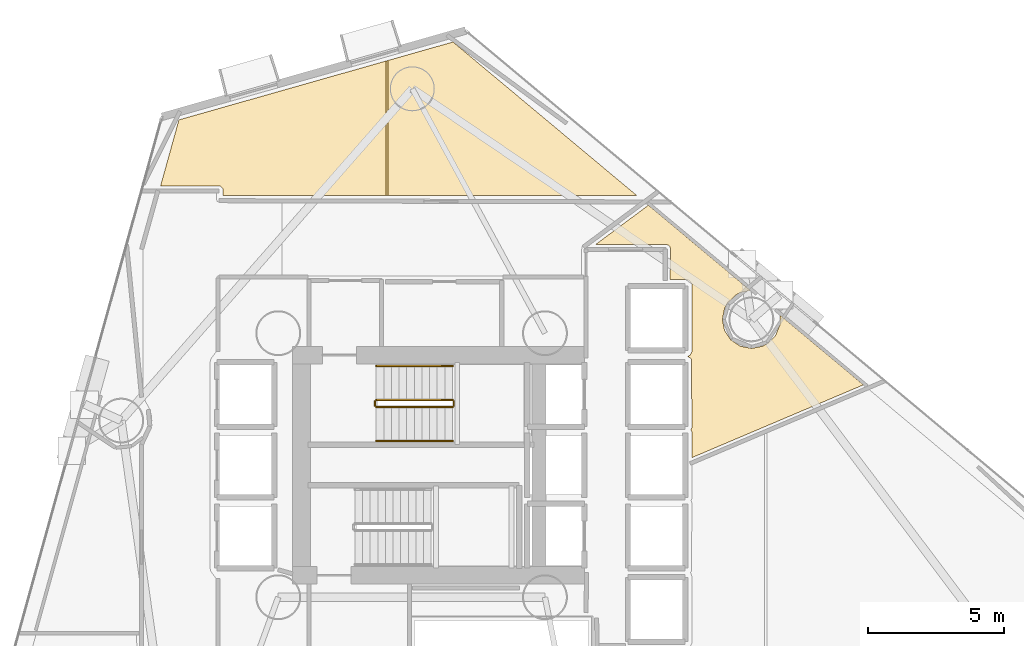
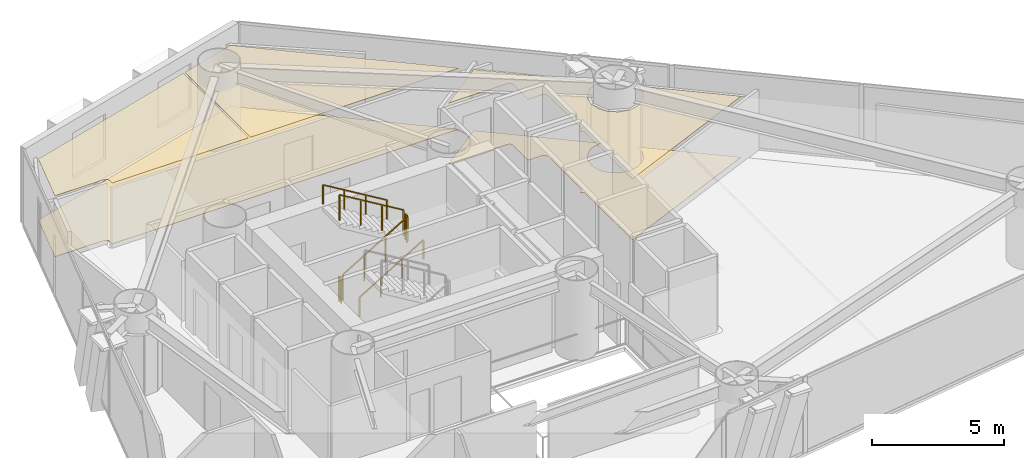
# One storey, part 22 of 23: 6 railings, 5 coverings.
"""IFC4 building model written with IfcOpenShell, lengths in metres."""

from ifc_helpers import new_model, si_unit, direction, frame, origin, origin_2d, place, context, subcontext, project, spatial, polyline, rectangle, outline, extrude, material, layer, layer_set, type_object, element, save


model = new_model("IFC4")

# Units and contexts
model_context = context("Model", 3, precision=1e-05, world=origin(), true_north=direction((0.0, 1.0)))
body_context = subcontext(model_context, "Body", "Model", "MODEL_VIEW")
ifc_project = project(units=[si_unit("LENGTHUNIT", "METRE"), si_unit("AREAUNIT", "SQUARE_METRE"), si_unit("VOLUMEUNIT", "CUBIC_METRE"), si_unit("PLANEANGLEUNIT", "RADIAN"), si_unit("MASSUNIT", "GRAM", prefix="KILO")], contexts=[model_context])

# Site, building, storey
site_placement = place(None, origin())
site = spatial("IfcSite", under=ifc_project, at=site_placement, CompositionType="ELEMENT")
building_placement = place(site_placement, origin())
building = spatial("IfcBuilding", under=site, at=building_placement, Name="Qianvela Tower", CompositionType="ELEMENT")
storey_placement = place(building_placement, frame((0.0, 0.0, 78.39990234375)))
storey = spatial("IfcBuildingStorey", under=building, at=storey_placement, Name="L19", CompositionType="ELEMENT", Elevation=78.39990234375)

# Coverings
ifc_material_1 = material(Name="Perforated Mineral Acoustic Ceiling Tile")
ifc_layer_1 = layer(ifc_material_1, 0.02490234375)
ifc_layer_set_1 = layer_set([ifc_layer_1], Name="Perforated Mineral Acoustic Ceiling Tile")
covering_type_1 = type_object("IfcCoveringType", Name="COV-CEIL-ACOUSTIC-25", PredefinedType="CEILING", material=ifc_layer_set_1)
covering_1_placement = place(storey_placement, frame((0.0, 0.0, 2.815185546875)))
element("IfcCovering", 1, at=covering_1_placement, inside=storey, type_object=covering_type_1, Name="L19 Acoustic Ceiling Graduate Seminar Classroom L19-03", PredefinedType="CEILING", context=body_context, shape_type="SweptSolid", body=[
    extrude(outline(polyline([(43.64306640625, 32.695556640625), (43.713134765625, 32.728759765625), (43.72021484375, 32.732421875), (43.726806640625, 32.73681640625), (43.732666015625, 32.74169921875), (43.73828125, 32.747314453125), (43.743408203125, 32.75341796875), (43.74755859375, 32.760009765625), (43.751220703125, 32.766845703125), (43.79150390625, 32.85205078125), (43.79443359375, 32.858642578125), (43.79638671875, 32.865234375), (43.798095703125, 32.872314453125), (43.799072265625, 32.87939453125), (43.79931640625, 32.88623046875), (43.79736328125, 35.327392578125), (43.796875, 35.3359375), (43.79541015625, 35.344482421875), (43.793212890625, 35.352783203125), (43.7900390625, 35.36083984375), (43.785888671875, 35.368408203125), (43.7373046875, 35.44921875), (43.732666015625, 35.456298828125), (43.727294921875, 35.462890625), (43.72119140625, 35.46875), (43.71435546875, 35.47412109375), (43.70703125, 35.478515625), (43.699462890625, 35.482177734375), (43.624267578125, 35.51318359375), (43.616943359375, 35.515869140625), (43.609375, 35.517822265625), (43.6015625, 35.518798828125), (43.59375, 35.519287109375), (43.0, 35.52001953125), (43.010009765625, 36.6494140625), (43.009765625, 36.6572265625), (43.008544921875, 36.665283203125), (43.006591796875, 36.673095703125), (43.00390625, 36.6806640625), (42.98046875, 36.7373046875), (42.97705078125, 36.744384765625), (42.97314453125, 36.7509765625), (42.968505859375, 36.75732421875), (42.963134765625, 36.76318359375), (42.957275390625, 36.768310546875), (42.950927734375, 36.773193359375), (42.9443359375, 36.777099609375), (42.937255859375, 36.780517578125), (42.880615234375, 36.803955078125), (42.873291015625, 36.806640625), (42.865478515625, 36.80859375), (42.85791015625, 36.8095703125), (42.85009765625, 36.81005859375), (40.2626953125, 36.81005859375), (42.200927734375, 38.251953125), (45.953369140625, 35.117431640625), (45.59130859375, 35.04541015625), (45.583740234375, 35.043701171875), (45.576416015625, 35.041015625), (45.5693359375, 35.03759765625), (45.399169921875, 34.946533203125), (45.392333984375, 34.9423828125), (45.385986328125, 34.937744140625), (45.380126953125, 34.9326171875), (45.1083984375, 34.660888671875), (45.103271484375, 34.655029296875), (45.098388671875, 34.648681640625), (45.094482421875, 34.641845703125), (45.00341796875, 34.4716796875), (45.0, 34.464599609375), (44.997314453125, 34.457275390625), (44.99560546875, 34.44970703125), (44.92041015625, 34.072509765625), (44.91943359375, 34.064697265625), (44.9189453125, 34.056884765625), (44.91943359375, 34.04931640625), (44.92041015625, 34.04150390625), (44.99560546875, 33.664306640625), (44.997314453125, 33.65673828125), (45.0, 33.6494140625), (45.00341796875, 33.642333984375), (45.007568359375, 33.635498046875), (45.220947265625, 33.316162109375), (45.2255859375, 33.309814453125), (45.23095703125, 33.303955078125), (45.23681640625, 33.298583984375), (45.2431640625, 33.2939453125), (45.5625, 33.08056640625), (45.5693359375, 33.076416015625), (45.576416015625, 33.072998046875), (45.583740234375, 33.0703125), (45.59130859375, 33.068603515625), (45.968505859375, 32.993408203125), (45.976318359375, 32.992431640625), (45.98388671875, 32.991943359375), (45.99169921875, 32.992431640625), (45.99951171875, 32.993408203125), (46.376708984375, 33.068603515625), (46.38427734375, 33.0703125), (46.3916015625, 33.072998046875), (46.398681640625, 33.076416015625), (46.56884765625, 33.16748046875), (46.57568359375, 33.17138671875), (46.58203125, 33.17626953125), (46.587890625, 33.181396484375), (46.859619140625, 33.453125), (46.86474609375, 33.458984375), (46.869384765625, 33.46533203125), (46.87353515625, 33.47216796875), (46.876953125, 33.47900390625), (47.02392578125, 33.834228515625), (47.026611328125, 33.841552734375), (47.028564453125, 33.84912109375), (47.02978515625, 33.85693359375), (47.030029296875, 33.86474609375), (47.030029296875, 34.218017578125), (50.100830078125, 31.65283203125), (43.800048828125, 28.978515625), (43.800048828125, 29.89990234375), (43.799560546875, 29.907958984375), (43.79833984375, 29.915771484375), (43.79638671875, 29.923583984375), (43.793701171875, 29.93115234375), (43.7646484375, 30.0), (43.793701171875, 30.06884765625), (43.79638671875, 30.07666015625), (43.798583984375, 30.08447265625), (43.799560546875, 30.09228515625), (43.800048828125, 30.1005859375), (43.783447265625, 32.56640625), (43.782958984375, 32.57470703125), (43.78173828125, 32.582763671875), (43.779541015625, 32.5908203125), (43.776611328125, 32.598388671875), (43.77294921875, 32.605712890625), (43.7685546875, 32.612548828125), (43.763427734375, 32.618896484375), (43.7578125, 32.624755859375), (43.75146484375, 32.6298828125), (43.74462890625, 32.634521484375), (43.64306640625, 32.695556640625)])), origin(), (0.0, 0.0, 1.0), 0.02490234375),
])
covering_2_placement = place(storey_placement, frame((0.0, 0.0, 2.815185546875)))
element("IfcCovering", 2, at=covering_2_placement, inside=storey, type_object=covering_type_1, Name="L19 Acoustic Ceiling Bay 1 Maker Craft Workshop L19-05", PredefinedType="CEILING", context=body_context, shape_type="SweptSolid", body=[
    extrude(outline(polyline([(26.57958984375, 38.610107421875), (26.57861328125, 38.81591796875), (26.577880859375, 38.82373046875), (26.576904296875, 38.83154296875), (26.574951171875, 38.839111328125), (26.572265625, 38.846435546875), (26.56884765625, 38.853515625), (26.56494140625, 38.860107421875), (26.560302734375, 38.866455078125), (26.554931640625, 38.872314453125), (26.4921875, 38.93505859375), (26.486328125, 38.940185546875), (26.47998046875, 38.945068359375), (26.473388671875, 38.948974609375), (26.46630859375, 38.952392578125), (26.458984375, 38.955078125), (26.451416015625, 38.956787109375), (26.443603515625, 38.9580078125), (26.435791015625, 38.95849609375), (24.27685546875, 38.9599609375), (24.950927734375, 41.3876953125), (32.5556640625, 43.549072265625), (32.5556640625, 38.610107421875), (26.57958984375, 38.610107421875)])), origin(), (0.0, 0.0, 1.0), 0.02490234375),
])
covering_3_placement = place(storey_placement, frame((0.0, 0.0, 2.815185546875)))
element("IfcCovering", 3, at=covering_3_placement, inside=storey, type_object=covering_type_1, Name="L19 Acoustic Ceiling Bay 2 Maker Craft Workshop L19-05", PredefinedType="CEILING", context=body_context, shape_type="SweptSolid", body=[
    extrude(outline(polyline([(41.772216796875, 38.610107421875), (32.635498046875, 38.610107421875), (32.635498046875, 43.57177734375), (35.020751953125, 44.249755859375), (41.772216796875, 38.610107421875)])), origin(), (0.0, 0.0, 1.0), 0.02490234375),
])
ifc_material_2 = material(Name="Engineered Acoustic Oak Timber Flooring", Category="wood")
ifc_layer_2 = layer(ifc_material_2, 0.02001953125)
ifc_layer_set_2 = layer_set([ifc_layer_2], Name="Engineered Acoustic Oak Timber Flooring")
covering_type_2 = type_object("IfcCoveringType", Name="COV-FLOOR-OAK-20", PredefinedType="FLOORING", material=ifc_layer_set_2)
covering_4_placement = place(storey_placement, origin())
element("IfcCovering", 4, at=covering_4_placement, inside=storey, type_object=covering_type_2, Name="L19 Finish Flooring Graduate Seminar Classroom L19-03", PredefinedType="FLOORING", context=body_context, shape_type="SweptSolid", body=[
    extrude(outline(polyline([(43.64306640625, 32.695556640625), (43.713134765625, 32.728759765625), (43.72021484375, 32.732421875), (43.726806640625, 32.73681640625), (43.732666015625, 32.74169921875), (43.73828125, 32.747314453125), (43.743408203125, 32.75341796875), (43.74755859375, 32.760009765625), (43.751220703125, 32.766845703125), (43.79150390625, 32.85205078125), (43.79443359375, 32.858642578125), (43.79638671875, 32.865234375), (43.798095703125, 32.872314453125), (43.799072265625, 32.87939453125), (43.79931640625, 32.88623046875), (43.79736328125, 35.327392578125), (43.796875, 35.3359375), (43.79541015625, 35.344482421875), (43.793212890625, 35.352783203125), (43.7900390625, 35.36083984375), (43.785888671875, 35.368408203125), (43.7373046875, 35.44921875), (43.732666015625, 35.456298828125), (43.727294921875, 35.462890625), (43.72119140625, 35.46875), (43.71435546875, 35.47412109375), (43.70703125, 35.478515625), (43.699462890625, 35.482177734375), (43.624267578125, 35.51318359375), (43.616943359375, 35.515869140625), (43.609375, 35.517822265625), (43.6015625, 35.518798828125), (43.59375, 35.519287109375), (43.0, 35.52001953125), (43.010009765625, 36.6494140625), (43.009765625, 36.6572265625), (43.008544921875, 36.665283203125), (43.006591796875, 36.673095703125), (43.00390625, 36.6806640625), (42.98046875, 36.7373046875), (42.97705078125, 36.744384765625), (42.97314453125, 36.7509765625), (42.968505859375, 36.75732421875), (42.963134765625, 36.76318359375), (42.957275390625, 36.768310546875), (42.950927734375, 36.773193359375), (42.9443359375, 36.777099609375), (42.937255859375, 36.780517578125), (42.880615234375, 36.803955078125), (42.873291015625, 36.806640625), (42.865478515625, 36.80859375), (42.85791015625, 36.8095703125), (42.85009765625, 36.81005859375), (40.2626953125, 36.81005859375), (42.200927734375, 38.251953125), (45.953369140625, 35.117431640625), (45.59130859375, 35.04541015625), (45.583740234375, 35.043701171875), (45.576416015625, 35.041015625), (45.5693359375, 35.03759765625), (45.399169921875, 34.946533203125), (45.392333984375, 34.9423828125), (45.385986328125, 34.937744140625), (45.380126953125, 34.9326171875), (45.1083984375, 34.660888671875), (45.103271484375, 34.655029296875), (45.098388671875, 34.648681640625), (45.094482421875, 34.641845703125), (45.00341796875, 34.4716796875), (45.0, 34.464599609375), (44.997314453125, 34.457275390625), (44.99560546875, 34.44970703125), (44.92041015625, 34.072509765625), (44.91943359375, 34.064697265625), (44.9189453125, 34.056884765625), (44.91943359375, 34.04931640625), (44.92041015625, 34.04150390625), (44.99560546875, 33.664306640625), (44.997314453125, 33.65673828125), (45.0, 33.6494140625), (45.00341796875, 33.642333984375), (45.007568359375, 33.635498046875), (45.220947265625, 33.316162109375), (45.2255859375, 33.309814453125), (45.23095703125, 33.303955078125), (45.23681640625, 33.298583984375), (45.2431640625, 33.2939453125), (45.5625, 33.08056640625), (45.5693359375, 33.076416015625), (45.576416015625, 33.072998046875), (45.583740234375, 33.0703125), (45.59130859375, 33.068603515625), (45.968505859375, 32.993408203125), (45.976318359375, 32.992431640625), (45.98388671875, 32.991943359375), (45.99169921875, 32.992431640625), (45.99951171875, 32.993408203125), (46.376708984375, 33.068603515625), (46.38427734375, 33.0703125), (46.3916015625, 33.072998046875), (46.398681640625, 33.076416015625), (46.56884765625, 33.16748046875), (46.57568359375, 33.17138671875), (46.58203125, 33.17626953125), (46.587890625, 33.181396484375), (46.859619140625, 33.453125), (46.86474609375, 33.458984375), (46.869384765625, 33.46533203125), (46.87353515625, 33.47216796875), (46.876953125, 33.47900390625), (47.02392578125, 33.834228515625), (47.026611328125, 33.841552734375), (47.028564453125, 33.84912109375), (47.02978515625, 33.85693359375), (47.030029296875, 33.86474609375), (47.030029296875, 34.218017578125), (50.100830078125, 31.65283203125), (43.800048828125, 28.978515625), (43.800048828125, 29.89990234375), (43.799560546875, 29.907958984375), (43.79833984375, 29.915771484375), (43.79638671875, 29.923583984375), (43.793701171875, 29.93115234375), (43.7646484375, 30.0), (43.793701171875, 30.06884765625), (43.79638671875, 30.07666015625), (43.798583984375, 30.08447265625), (43.799560546875, 30.09228515625), (43.800048828125, 30.1005859375), (43.783447265625, 32.56640625), (43.782958984375, 32.57470703125), (43.78173828125, 32.582763671875), (43.779541015625, 32.5908203125), (43.776611328125, 32.598388671875), (43.77294921875, 32.605712890625), (43.7685546875, 32.612548828125), (43.763427734375, 32.618896484375), (43.7578125, 32.624755859375), (43.75146484375, 32.6298828125), (43.74462890625, 32.634521484375), (43.64306640625, 32.695556640625)])), origin(), (0.0, 0.0, 1.0), 0.02001953125),
])
covering_5_placement = place(storey_placement, origin())
element("IfcCovering", 5, at=covering_5_placement, inside=storey, type_object=covering_type_2, Name="L19 Finish Flooring Maker Craft Workshop L19-05", PredefinedType="FLOORING", context=body_context, shape_type="SweptSolid", body=[
    extrude(outline(polyline([(35.020751953125, 44.249755859375), (41.772216796875, 38.610107421875), (26.57958984375, 38.610107421875), (26.57861328125, 38.81591796875), (26.577880859375, 38.82373046875), (26.576904296875, 38.83154296875), (26.574951171875, 38.839111328125), (26.572265625, 38.846435546875), (26.56884765625, 38.853515625), (26.56494140625, 38.860107421875), (26.560302734375, 38.866455078125), (26.554931640625, 38.872314453125), (26.4921875, 38.93505859375), (26.486328125, 38.940185546875), (26.47998046875, 38.945068359375), (26.473388671875, 38.948974609375), (26.46630859375, 38.952392578125), (26.458984375, 38.955078125), (26.451416015625, 38.956787109375), (26.443603515625, 38.9580078125), (26.435791015625, 38.95849609375), (24.27685546875, 38.9599609375), (24.950927734375, 41.3876953125), (35.020751953125, 44.249755859375)])), origin(), (0.0, 0.0, 1.0), 0.02001953125),
])

# Railings
ifc_material_3 = material(Name="Painted Tubular Steel Q355B", Category="steel")
railing_type_1 = type_object("IfcRailingType", Name="RL-STAIR-GUARD-1200", PredefinedType="GUARDRAIL", material=ifc_material_3)
railing_1_placement = place(storey_placement, frame((32.199951171875, 30.840087890625, 0.168212890625)))
element("IfcRailing", 6, at=railing_1_placement, inside=storey, type_object=railing_type_1, Name="L19 ST-1 stair guard 1", PredefinedType="GUARDRAIL", context=body_context, shape_type="SweptSolid", body=[
    extrude(rectangle(XDim=0.050048828125, YDim=0.0400390625, at=origin_2d()), frame((0.0, 0.0, 1.179931640625), z_axis=(0.857242210791, 0.0, 0.514913383045), x_axis=(0.0, 1.0, 0.0)), (0.0, 0.0, 1.0), 3.266357421875),
    extrude(rectangle(XDim=0.050048828125, YDim=0.050048828125, at=origin_2d()), origin(), (0.0, 0.0, 1.0), 1.159912109375),
    extrude(rectangle(XDim=0.050048828125, YDim=0.050048828125, at=origin_2d()), frame((0.933349609375, 0.0, 0.560546875)), (0.0, 0.0, 1.0), 1.159912109375),
    extrude(rectangle(XDim=0.050048828125, YDim=0.050048828125, at=origin_2d()), frame((1.86669921875, 0.0, 1.121337890625)), (0.0, 0.0, 1.0), 1.159912109375),
    extrude(rectangle(XDim=0.050048828125, YDim=0.050048828125, at=origin_2d()), frame((2.800048828125, 0.0, 1.681884765625)), (0.0, 0.0, 1.0), 1.159912109375),
])
railing_2_placement = place(storey_placement, frame((35.050048828125, 30.889892578125, 1.85009765625)))
element("IfcRailing", 7, at=railing_2_placement, inside=storey, type_object=railing_type_1, Name="L19 ST-1 stair guard 2", PredefinedType="GUARDRAIL", context=body_context, shape_type="SweptSolid", body=[
    extrude(rectangle(XDim=0.050048828125, YDim=0.0400390625, at=origin_2d()), frame((0.0, 0.0, 1.179931640625), z_axis=(0.0, 1.0, 0.0), x_axis=(-1.0, 0.0, 0.0)), (0.0, 0.0, 1.0), 0.16015625),
    extrude(rectangle(XDim=0.050048828125, YDim=0.050048828125, at=origin_2d()), origin(), (0.0, 0.0, 1.0), 1.159912109375),
    extrude(rectangle(XDim=0.050048828125, YDim=0.050048828125, at=origin_2d()), frame((0.0, 0.16015625, 0.0)), (0.0, 0.0, 1.0), 1.159912109375),
])
railing_3_placement = place(storey_placement, frame((35.0, 31.10009765625, 2.018310546875)))
element("IfcRailing", 8, at=railing_3_placement, inside=storey, type_object=railing_type_1, Name="L19 ST-1 stair guard 3", PredefinedType="GUARDRAIL", context=body_context, shape_type="SweptSolid", body=[
    extrude(rectangle(XDim=0.050048828125, YDim=0.0400390625, at=origin_2d()), frame((0.0, 0.0, 1.179931640625), z_axis=(-0.857242210791, 0.0, 0.514913383045), x_axis=(0.0, -1.0, 0.0)), (0.0, 0.0, 1.0), 3.266357421875),
    extrude(rectangle(XDim=0.050048828125, YDim=0.050048828125, at=origin_2d()), origin(), (0.0, 0.0, 1.0), 1.159912109375),
    extrude(rectangle(XDim=0.050048828125, YDim=0.050048828125, at=origin_2d()), frame((-0.933349609375, 0.0, 0.560546875)), (0.0, 0.0, 1.0), 1.159912109375),
    extrude(rectangle(XDim=0.050048828125, YDim=0.050048828125, at=origin_2d()), frame((-1.86669921875, 0.0, 1.121337890625)), (0.0, 0.0, 1.0), 1.159912109375),
    extrude(rectangle(XDim=0.050048828125, YDim=0.050048828125, at=origin_2d()), frame((-2.800048828125, 0.0, 1.681884765625)), (0.0, 0.0, 1.0), 1.159912109375),
])
railing_4_placement = place(storey_placement, frame((32.14990234375, 30.889892578125, 0.0)))
element("IfcRailing", 9, at=railing_4_placement, inside=storey, type_object=railing_type_1, Name="L19 ST-1 stair guard 4", PredefinedType="GUARDRAIL", context=body_context, shape_type="SweptSolid", body=[
    extrude(rectangle(XDim=0.050048828125, YDim=0.0400390625, at=origin_2d()), frame((0.0, 0.0, 1.179931640625), z_axis=(0.0, 1.0, 0.0), x_axis=(-1.0, 0.0, 0.0)), (0.0, 0.0, 1.0), 0.16015625),
    extrude(rectangle(XDim=0.050048828125, YDim=0.050048828125, at=origin_2d()), origin(), (0.0, 0.0, 1.0), 1.159912109375),
    extrude(rectangle(XDim=0.050048828125, YDim=0.050048828125, at=origin_2d()), frame((0.0, 0.16015625, 0.0)), (0.0, 0.0, 1.0), 1.159912109375),
])
ifc_material_4 = material(Name="Brushed Stainless Steel 304", Category="steel")
railing_type_2 = type_object("IfcRailingType", Name="RL-STAIR-HANDRAIL-900", PredefinedType="HANDRAIL", material=ifc_material_4)
railing_5_placement = place(storey_placement, frame((32.199951171875, 29.590087890625, 0.168212890625)))
element("IfcRailing", 10, at=railing_5_placement, inside=storey, type_object=railing_type_2, Name="L19 ST-1 stair handrail 1", PredefinedType="HANDRAIL", context=body_context, shape_type="SweptSolid", body=[
    extrude(rectangle(XDim=0.050048828125, YDim=0.0400390625, at=origin_2d()), frame((0.0, 0.0, 0.8798828125), z_axis=(0.857242210791, 0.0, 0.514913383045), x_axis=(0.0, 1.0, 0.0)), (0.0, 0.0, 1.0), 3.266357421875),
    extrude(rectangle(XDim=0.050048828125, YDim=0.050048828125, at=origin_2d()), origin(), (0.0, 0.0, 1.0), 0.85986328125),
    extrude(rectangle(XDim=0.050048828125, YDim=0.050048828125, at=origin_2d()), frame((0.933349609375, 0.0, 0.560546875)), (0.0, 0.0, 1.0), 0.85986328125),
    extrude(rectangle(XDim=0.050048828125, YDim=0.050048828125, at=origin_2d()), frame((1.86669921875, 0.0, 1.121337890625)), (0.0, 0.0, 1.0), 0.85986328125),
    extrude(rectangle(XDim=0.050048828125, YDim=0.050048828125, at=origin_2d()), frame((2.800048828125, 0.0, 1.681884765625)), (0.0, 0.0, 1.0), 0.85986328125),
])
railing_6_placement = place(storey_placement, frame((35.0, 32.35009765625, 2.018310546875)))
element("IfcRailing", 11, at=railing_6_placement, inside=storey, type_object=railing_type_2, Name="L19 ST-1 stair handrail 2", PredefinedType="HANDRAIL", context=body_context, shape_type="SweptSolid", body=[
    extrude(rectangle(XDim=0.050048828125, YDim=0.0400390625, at=origin_2d()), frame((0.0, 0.0, 0.8798828125), z_axis=(-0.857242210791, 0.0, 0.514913383045), x_axis=(0.0, -1.0, 0.0)), (0.0, 0.0, 1.0), 3.266357421875),
    extrude(rectangle(XDim=0.050048828125, YDim=0.050048828125, at=origin_2d()), origin(), (0.0, 0.0, 1.0), 0.85986328125),
    extrude(rectangle(XDim=0.050048828125, YDim=0.050048828125, at=origin_2d()), frame((-0.933349609375, 0.0, 0.560546875)), (0.0, 0.0, 1.0), 0.85986328125),
    extrude(rectangle(XDim=0.050048828125, YDim=0.050048828125, at=origin_2d()), frame((-1.86669921875, 0.0, 1.121337890625)), (0.0, 0.0, 1.0), 0.85986328125),
    extrude(rectangle(XDim=0.050048828125, YDim=0.050048828125, at=origin_2d()), frame((-2.800048828125, 0.0, 1.681884765625)), (0.0, 0.0, 1.0), 0.85986328125),
])

save(model, "model.ifc")
